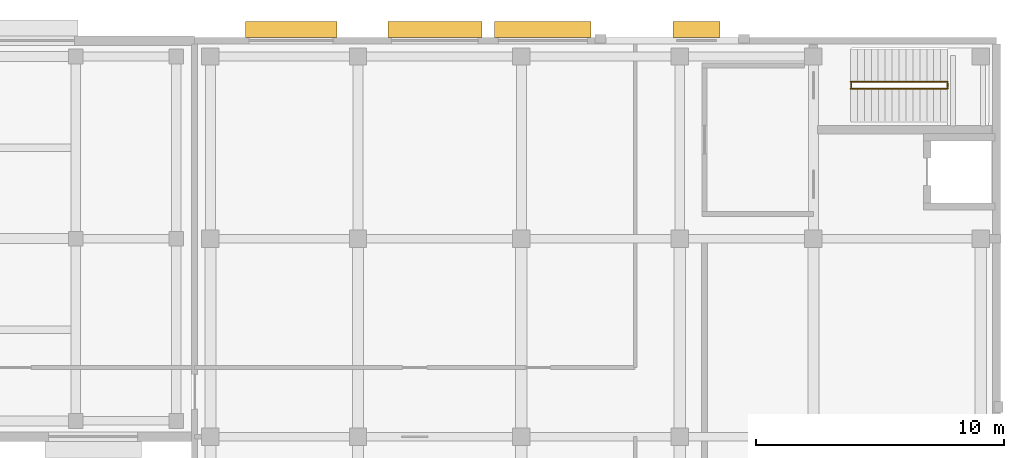
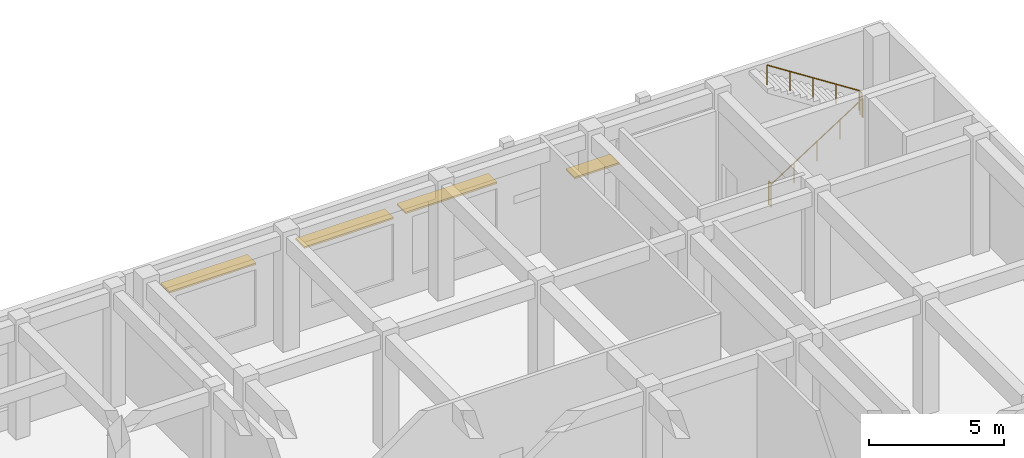
# One storey, part 64 of 64: 4 railings, 4 shading devices.
"""IFC4 building model written with IfcOpenShell, lengths in metres."""

from ifc_helpers import new_model, si_unit, direction, frame, origin, origin_2d, place, context, subcontext, project, spatial, rectangle, circle, extrude, material, type_object, element, save


model = new_model("IFC4")

# Units and contexts
model_context = context("Model", 3, precision=1e-05, world=origin(), true_north=direction((0.0, 1.0)))
body_context = subcontext(model_context, "Body", "Model", "MODEL_VIEW")
ifc_project = project(units=[si_unit("LENGTHUNIT", "METRE"), si_unit("AREAUNIT", "SQUARE_METRE"), si_unit("VOLUMEUNIT", "CUBIC_METRE"), si_unit("PLANEANGLEUNIT", "RADIAN"), si_unit("MASSUNIT", "GRAM", prefix="KILO")], contexts=[model_context])

# Site, building, storey
site_placement = place(None, origin())
site = spatial("IfcSite", under=ifc_project, at=site_placement, CompositionType="ELEMENT")
building_placement = place(site_placement, origin())
building = spatial("IfcBuilding", under=site, at=building_placement, Name="Cinchona Park Media Centre", CompositionType="ELEMENT")
storey_placement = place(building_placement, frame((0.0, 0.0, 10.199951171875)))
storey = spatial("IfcBuildingStorey", under=building, at=storey_placement, Name="L02", CompositionType="ELEMENT", Elevation=10.199951171875)

# Railings
ifc_material_1 = material(Name="Painted Steel Stairwell Guardrail", Category="steel")
railing_type_1 = type_object("IfcRailingType", Name="RAILING-GR02", PredefinedType="GUARDRAIL", material=ifc_material_1)
for number, where, name in (
    (1, (166.135009765625, 116.1201171875, 0.0), "Stairwell Guardrail GR02 ST2 L02"),
    (2, (170.02001953125, 116.1201171875, 2.699951171875), "Half-Landing Guardrail GR02 ST2 L02"),
):
    element("IfcRailing", number, at=place(storey_placement, frame(where)), inside=storey, type_object=railing_type_1, Name=name, PredefinedType="GUARDRAIL", context=body_context, shape_type="SweptSolid", body=[
        extrude(circle(Radius=0.02392578125, at=origin_2d()), frame((0.0, 0.0, 1.076171875), z_axis=(0.0, 1.0, 0.0), x_axis=(-1.0, 0.0, 0.0)), (0.0, 0.0, 1.0), 0.159912109375),
        extrude(circle(Radius=0.02099609375, at=origin_2d()), origin(), (0.0, 0.0, 1.0), 1.052001953125),
        extrude(circle(Radius=0.02099609375, at=origin_2d()), frame((0.0, 0.159912109375, 0.0)), (0.0, 0.0, 1.0), 1.052001953125),
    ])
ifc_material_2 = material(Name="Brushed Stainless Steel Handrail", Category="steel")
railing_type_2 = type_object("IfcRailingType", Name="RAILING-HR01", PredefinedType="HANDRAIL", material=ifc_material_2)
railing_1_placement = place(storey_placement, frame((166.10009765625, 116.06005859375, 0.179931640625)))
element("IfcRailing", 3, at=railing_1_placement, inside=storey, type_object=railing_type_2, Name="Stair Handrail HR01 ST2 L02 F1", PredefinedType="HANDRAIL", context=body_context, shape_type="SweptSolid", body=[
    extrude(circle(Radius=0.02392578125, at=origin_2d()), frame((0.0, 0.0, 0.8759765625), z_axis=(0.841171666519, 0.0, 0.540768182723), x_axis=(0.0, 1.0, 0.0)), (0.0, 0.0, 1.0), 4.66015625),
    extrude(circle(Radius=0.02099609375, at=origin_2d()), origin(), (0.0, 0.0, 1.0), 0.851806640625),
    extrude(circle(Radius=0.02099609375, at=origin_2d()), frame((0.97998046875, 0.0, 0.6298828125)), (0.0, 0.0, 1.0), 0.851806640625),
    extrude(circle(Radius=0.02099609375, at=origin_2d()), frame((1.9599609375, 0.0, 1.260009765625)), (0.0, 0.0, 1.0), 0.851806640625),
    extrude(circle(Radius=0.02099609375, at=origin_2d()), frame((2.93994140625, 0.0, 1.89013671875)), (0.0, 0.0, 1.0), 0.851806640625),
    extrude(circle(Radius=0.02099609375, at=origin_2d()), frame((3.919921875, 0.0, 2.52001953125)), (0.0, 0.0, 1.0), 0.851806640625),
])
railing_2_placement = place(storey_placement, frame((170.02001953125, 116.340087890625, 2.880126953125)))
element("IfcRailing", 4, at=railing_2_placement, inside=storey, type_object=railing_type_2, Name="Stair Handrail HR01 ST2 L02 F2", PredefinedType="HANDRAIL", context=body_context, shape_type="SweptSolid", body=[
    extrude(circle(Radius=0.02392578125, at=origin_2d()), frame((0.0, 0.0, 0.8759765625), z_axis=(-0.841171666519, 0.0, 0.540768182723), x_axis=(0.0, -1.0, 0.0)), (0.0, 0.0, 1.0), 4.66015625),
    extrude(circle(Radius=0.02099609375, at=origin_2d()), origin(), (0.0, 0.0, 1.0), 0.851806640625),
    extrude(circle(Radius=0.02099609375, at=origin_2d()), frame((-0.97998046875, 0.0, 0.6298828125)), (0.0, 0.0, 1.0), 0.851806640625),
    extrude(circle(Radius=0.02099609375, at=origin_2d()), frame((-1.9599609375, 0.0, 1.260009765625)), (0.0, 0.0, 1.0), 0.851806640625),
    extrude(circle(Radius=0.02099609375, at=origin_2d()), frame((-2.93994140625, 0.0, 1.89013671875)), (0.0, 0.0, 1.0), 0.851806640625),
    extrude(circle(Radius=0.02099609375, at=origin_2d()), frame((-3.919921875, 0.0, 2.52001953125)), (0.0, 0.0, 1.0), 0.851806640625),
])

# Shading devices
ifc_material_3 = material(Name="Anodised Aluminium Horizontal Brise-Soleil", Category="aluminium")
shading_device_type = type_object("IfcShadingDeviceType", Name="SHADING-SUN01", PredefinedType="AWNING", material=ifc_material_3)
shading_device_1_placement = place(storey_placement, frame((143.5, 118.445068359375, 3.469970703125), z_axis=(0.0, 0.0, 1.0), x_axis=(1.0, 0.0, 0.0)))
element("IfcShadingDevice", 5, at=shading_device_1_placement, inside=storey, type_object=shading_device_type, Name="Horizontal Sunshade SHD02 L02", PredefinedType="AWNING", context=body_context, shape_type="SweptSolid", body=[
    extrude(rectangle(XDim=3.699951171875, YDim=0.64990234375, at=origin_2d()), origin(), (0.0, 0.0, 1.0), 0.080078125),
])
shading_device_2_placement = place(storey_placement, frame((149.31005859375, 118.445068359375, 3.469970703125), z_axis=(0.0, 0.0, 1.0), x_axis=(1.0, 0.0, 0.0)))
element("IfcShadingDevice", 6, at=shading_device_2_placement, inside=storey, type_object=shading_device_type, Name="Horizontal Sunshade SHD02 L02", PredefinedType="AWNING", context=body_context, shape_type="SweptSolid", body=[
    extrude(rectangle(XDim=3.800048828125, YDim=0.64990234375, at=origin_2d()), origin(), (0.0, 0.0, 1.0), 0.080078125),
])
shading_device_3_placement = place(storey_placement, frame((153.669921875, 118.445068359375, 3.52001953125), z_axis=(0.0, 0.0, 1.0), x_axis=(1.0, 0.0, 0.0)))
element("IfcShadingDevice", 7, at=shading_device_3_placement, inside=storey, type_object=shading_device_type, Name="Horizontal Sunshade SHD02 L02", PredefinedType="AWNING", context=body_context, shape_type="SweptSolid", body=[
    extrude(rectangle(XDim=3.89990234375, YDim=0.64990234375, at=origin_2d()), origin(), (0.0, 0.0, 1.0), 0.080078125),
])
shading_device_4_placement = place(storey_placement, frame((159.8798828125, 118.445068359375, 2.570068359375), z_axis=(0.0, 0.0, 1.0), x_axis=(1.0, 0.0, 0.0)))
element("IfcShadingDevice", 8, at=shading_device_4_placement, inside=storey, type_object=shading_device_type, Name="Horizontal Sunshade SHD02 L02", PredefinedType="AWNING", context=body_context, shape_type="SweptSolid", body=[
    extrude(rectangle(XDim=1.89990234375, YDim=0.64990234375, at=origin_2d()), origin(), (0.0, 0.0, 1.0), 0.080078125),
])

save(model, "model.ifc")
